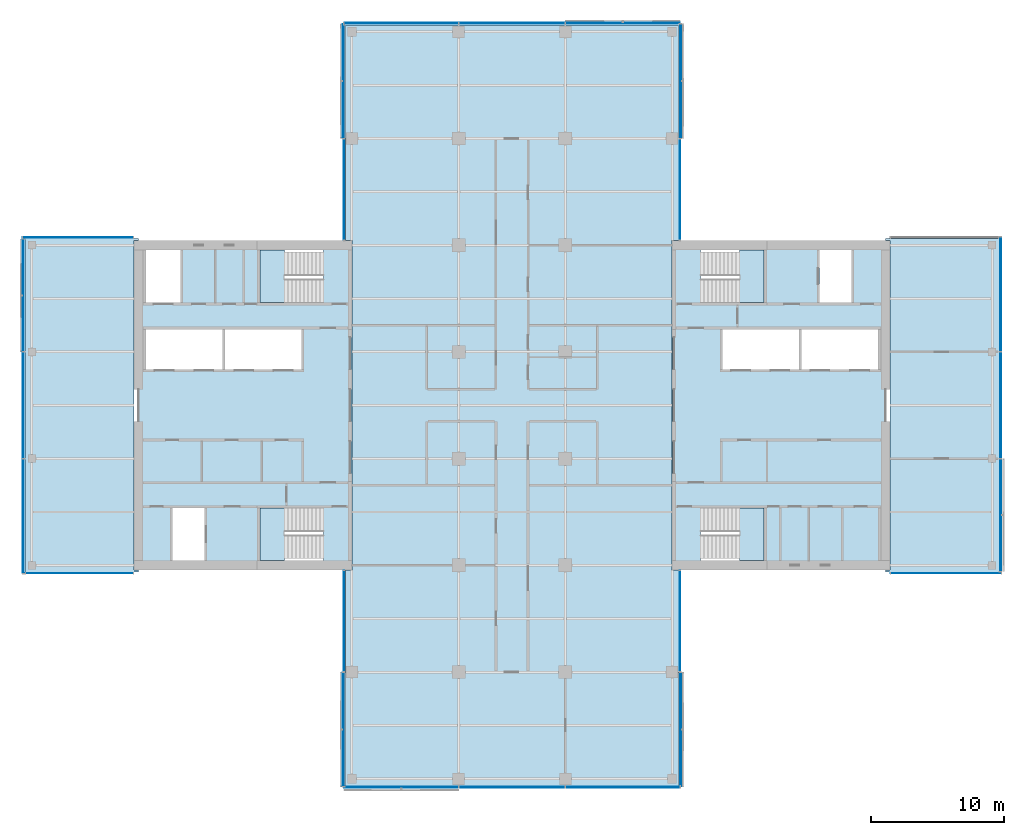
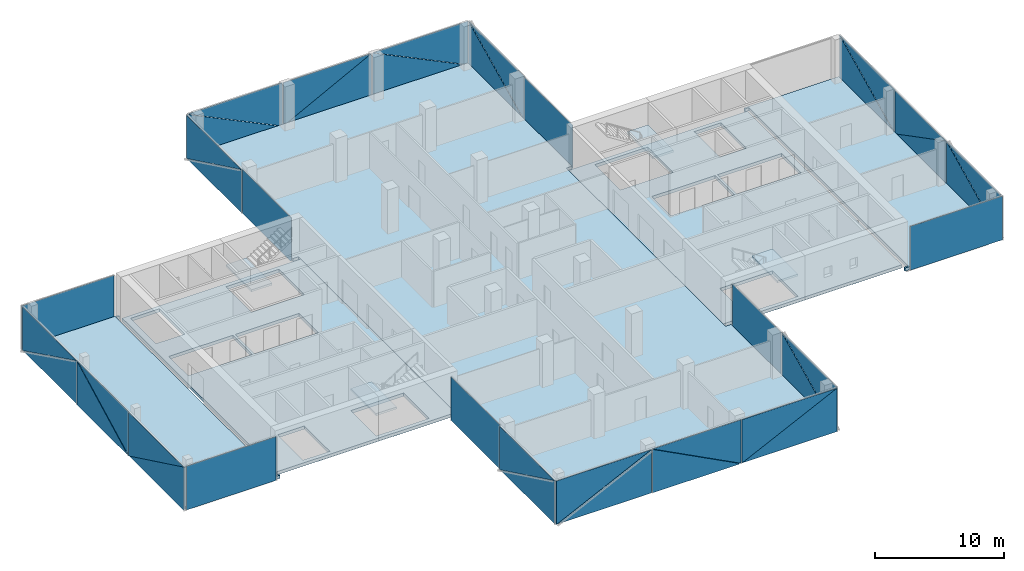
# One storey, part 12 of 22: 39 plates, 9 slabs, 19 elements without a shape of their own.
"""IFC4 building model written with IfcOpenShell, lengths in metres."""

from ifc_helpers import new_model, si_unit, direction, frame, origin, place, context, subcontext, project, spatial, polyline, outline, extrude, material, layer, layer_set, type_object, element, aggregate, save


model = new_model("IFC4")

# Units and contexts
model_context = context("Model", 3, precision=1e-05, world=origin(), true_north=direction((0.0, 1.0)))
body_context = subcontext(model_context, "Body", "Model", "MODEL_VIEW")
ifc_project = project(units=[si_unit("LENGTHUNIT", "METRE"), si_unit("AREAUNIT", "SQUARE_METRE"), si_unit("VOLUMEUNIT", "CUBIC_METRE"), si_unit("PLANEANGLEUNIT", "RADIAN"), si_unit("MASSUNIT", "GRAM", prefix="KILO")], contexts=[model_context])

# Site, building, storey
site_placement = place(None, origin())
site = spatial("IfcSite", under=ifc_project, at=site_placement, CompositionType="ELEMENT")
building_placement = place(site_placement, origin())
building = spatial("IfcBuilding", under=site, at=building_placement, Name="Crosswind Convention Tower", CompositionType="ELEMENT")
storey_placement = place(building_placement, frame((0.0, 0.0, 146.300048828125)))
storey = spatial("IfcBuildingStorey", under=building, at=storey_placement, Name="L30", CompositionType="ELEMENT", Elevation=146.300048828125)

# Slabs
ifc_material_1 = material(Name="Concrete C40/50", Category="concrete")
ifc_layer_1 = layer(ifc_material_1, 0.300048828125)
ifc_layer_set_1 = layer_set([ifc_layer_1], Name="Concrete C40/50")
slab_type_1 = type_object("IfcSlabType", Name="Composite floor slab 300", PredefinedType="FLOOR", material=ifc_layer_set_1)
slab_1_placement = place(storey_placement, frame((0.0, 0.0, -0.300048828125)))
element("IfcSlab", 1, at=slab_1_placement, inside=storey, type_object=slab_type_1, Name="Floor slab L30 part 1", PredefinedType="FLOOR", context=body_context, shape_type="SweptSolid", body=[
    extrude(outline(polyline([(97.0, 87.5), (89.0, 87.5), (88.5, 87.5), (88.5, 88.0), (88.5, 112.0), (88.5, 112.5), (89.0, 112.5), (97.0, 112.5), (97.0, 112.35009765625), (96.64990234375, 112.35009765625), (96.64990234375, 87.64990234375), (97.0, 87.64990234375), (97.0, 87.5)])), origin(), (0.0, 0.0, 1.0), 0.300048828125),
])
slab_2_placement = place(storey_placement, frame((0.0, 0.0, -0.300048828125)))
element("IfcSlab", 2, at=slab_2_placement, inside=storey, type_object=slab_type_1, Name="Floor slab L30 part 2", PredefinedType="FLOOR", context=body_context, shape_type="SweptSolid", body=[
    extrude(outline(polyline([(112.5, 87.64990234375), (113.0, 87.64990234375), (113.0, 112.35009765625), (112.5, 112.35009765625), (112.5, 128.0), (112.5, 128.5), (113.0, 128.5), (137.0, 128.5), (137.5, 128.5), (137.5, 128.0), (137.5, 112.35009765625), (137.0, 112.35009765625), (137.0, 87.64990234375), (137.5, 87.64990234375), (137.5, 72.0), (137.5, 71.5), (137.0, 71.5), (113.0, 71.5), (112.5, 71.5), (112.5, 72.0), (112.5, 87.64990234375)])), origin(), (0.0, 0.0, 1.0), 0.300048828125),
])
slab_3_placement = place(storey_placement, frame((0.0, 0.0, -0.300048828125)))
element("IfcSlab", 3, at=slab_3_placement, inside=storey, type_object=slab_type_1, Name="Floor slab L30 part 3", PredefinedType="FLOOR", context=body_context, shape_type="SweptSolid", body=[
    extrude(outline(polyline([(153.0, 112.5), (161.0, 112.5), (161.5, 112.5), (161.5, 112.0), (161.5, 88.0), (161.5, 87.5), (161.0, 87.5), (153.0, 87.5), (153.0, 87.64990234375), (153.35009765625, 87.64990234375), (153.35009765625, 112.35009765625), (153.0, 112.35009765625), (153.0, 112.5)])), origin(), (0.0, 0.0, 1.0), 0.300048828125),
])
ifc_layer_2 = layer(ifc_material_1, 0.300048828125)
ifc_layer_set_2 = layer_set([ifc_layer_2], Name="Concrete C40/50")
slab_type_2 = type_object("IfcSlabType", Name="Concrete core floor slab 300", PredefinedType="FLOOR", material=ifc_layer_set_2)
slab_4_placement = place(storey_placement, frame((0.0, 0.0, -0.300048828125)))
element("IfcSlab", 4, at=slab_4_placement, inside=storey, type_object=slab_type_2, Name="Core floor slab E L30", PredefinedType="FLOOR", context=body_context, shape_type="SweptSolid", body=[
    extrude(outline(polyline([(137.0, 88.0), (153.0, 88.0), (153.0, 112.0), (137.0, 112.0), (137.0, 88.0)]), holes=[polyline([(146.5, 102.699951171875), (146.5, 105.699951171875), (140.800048828125, 105.699951171875), (140.800048828125, 102.699951171875), (146.5, 102.699951171875)]), polyline([(152.449951171875, 102.699951171875), (152.449951171875, 105.699951171875), (146.699951171875, 105.699951171875), (146.699951171875, 102.699951171875), (152.449951171875, 102.699951171875)]), polyline([(150.449951171875, 107.699951171875), (150.449951171875, 111.64990234375), (148.050048828125, 111.64990234375), (148.050048828125, 107.699951171875), (150.449951171875, 107.699951171875)]), polyline([(143.89990234375, 107.699951171875), (143.89990234375, 111.64990234375), (139.14990234375, 111.64990234375), (139.14990234375, 107.699951171875), (143.89990234375, 107.699951171875)]), polyline([(143.89990234375, 88.35009765625), (143.89990234375, 92.300048828125), (139.14990234375, 92.300048828125), (139.14990234375, 88.35009765625), (143.89990234375, 88.35009765625)])]), origin(), (0.0, 0.0, 1.0), 0.300048828125),
])
slab_5_placement = place(storey_placement, frame((0.0, 0.0, -0.300048828125)))
element("IfcSlab", 5, at=slab_5_placement, inside=storey, type_object=slab_type_2, Name="Core floor slab W L30", PredefinedType="FLOOR", context=body_context, shape_type="SweptSolid", body=[
    extrude(outline(polyline([(97.0, 88.0), (113.0, 88.0), (113.0, 112.0), (97.0, 112.0), (97.0, 88.0)]), holes=[polyline([(109.199951171875, 102.699951171875), (109.199951171875, 105.699951171875), (103.5, 105.699951171875), (103.5, 102.699951171875), (109.199951171875, 102.699951171875)]), polyline([(103.300048828125, 102.699951171875), (103.300048828125, 105.699951171875), (97.550048828125, 105.699951171875), (97.550048828125, 102.699951171875), (103.300048828125, 102.699951171875)]), polyline([(101.949951171875, 88.35009765625), (101.949951171875, 92.300048828125), (99.550048828125, 92.300048828125), (99.550048828125, 88.35009765625), (101.949951171875, 88.35009765625)]), polyline([(100.14990234375, 107.699951171875), (100.14990234375, 111.64990234375), (97.550048828125, 111.64990234375), (97.550048828125, 107.699951171875), (100.14990234375, 107.699951171875)]), polyline([(110.85009765625, 88.35009765625), (110.85009765625, 92.300048828125), (106.10009765625, 92.300048828125), (106.10009765625, 88.35009765625), (110.85009765625, 88.35009765625)]), polyline([(110.85009765625, 107.699951171875), (110.85009765625, 111.64990234375), (106.10009765625, 111.64990234375), (106.10009765625, 107.699951171875), (110.85009765625, 107.699951171875)])]), origin(), (0.0, 0.0, 1.0), 0.300048828125),
])

# Stair, slab
stair_type = type_object("IfcStairType", Name="Exit stair 1800 wide, 2 flights of 11 risers", PredefinedType="HALF_TURN_STAIR", material=ifc_material_1)
stair_1_placement = place(storey_placement, origin())
stair_1 = element("IfcStair", 6, at=stair_1_placement, inside=storey, type_object=stair_type, Name="Exit stair ST1 L30", ObjectType="ST5", PredefinedType="HALF_TURN_STAIR")
ifc_layer_3 = layer(ifc_material_1, 0.199951171875)
ifc_layer_set_3 = layer_set([ifc_layer_3], Name="Concrete C40/50")
slab_type_3 = type_object("IfcSlabType", Name="Stair landing 200", PredefinedType="LANDING", material=ifc_layer_set_3)
slab_6_placement = place(storey_placement, frame((0.0, 0.0, 1.89990234375)))
slab_6 = element("IfcSlab", 7, at=slab_6_placement, type_object=slab_type_3, Name="ST1 landing 1", PredefinedType="LANDING", context=body_context, shape_type="SweptSolid", body=[
    extrude(outline(polyline([(143.89990234375, 107.699951171875), (143.89990234375, 111.64990234375), (142.050048828125, 111.64990234375), (142.050048828125, 107.699951171875), (143.89990234375, 107.699951171875)])), origin(), (0.0, 0.0, 1.0), 0.199951171875),
])
aggregate(stair_1, [slab_6])

stair_2_placement = place(storey_placement, origin())
stair_2 = element("IfcStair", 8, at=stair_2_placement, inside=storey, type_object=stair_type, Name="Exit stair ST2 L30", ObjectType="ST5", PredefinedType="HALF_TURN_STAIR")
slab_7_placement = place(storey_placement, frame((0.0, 0.0, 1.89990234375)))
slab_7 = element("IfcSlab", 9, at=slab_7_placement, type_object=slab_type_3, Name="ST2 landing 1", PredefinedType="LANDING", context=body_context, shape_type="SweptSolid", body=[
    extrude(outline(polyline([(143.89990234375, 88.35009765625), (143.89990234375, 92.300048828125), (142.050048828125, 92.300048828125), (142.050048828125, 88.35009765625), (143.89990234375, 88.35009765625)])), origin(), (0.0, 0.0, 1.0), 0.199951171875),
])
aggregate(stair_2, [slab_7])

stair_3_placement = place(storey_placement, origin())
stair_3 = element("IfcStair", 10, at=stair_3_placement, inside=storey, type_object=stair_type, Name="Exit stair ST3 L30", ObjectType="ST5", PredefinedType="HALF_TURN_STAIR")
slab_8_placement = place(storey_placement, frame((0.0, 0.0, 1.89990234375)))
slab_8 = element("IfcSlab", 11, at=slab_8_placement, type_object=slab_type_3, Name="ST3 landing 1", PredefinedType="LANDING", context=body_context, shape_type="SweptSolid", body=[
    extrude(outline(polyline([(107.949951171875, 88.35009765625), (107.949951171875, 92.300048828125), (106.10009765625, 92.300048828125), (106.10009765625, 88.35009765625), (107.949951171875, 88.35009765625)])), origin(), (0.0, 0.0, 1.0), 0.199951171875),
])
aggregate(stair_3, [slab_8])

stair_4_placement = place(storey_placement, origin())
stair_4 = element("IfcStair", 12, at=stair_4_placement, inside=storey, type_object=stair_type, Name="Exit stair ST4 L30", ObjectType="ST5", PredefinedType="HALF_TURN_STAIR")
slab_9_placement = place(storey_placement, frame((0.0, 0.0, 1.89990234375)))
slab_9 = element("IfcSlab", 13, at=slab_9_placement, type_object=slab_type_3, Name="ST4 landing 1", PredefinedType="LANDING", context=body_context, shape_type="SweptSolid", body=[
    extrude(outline(polyline([(107.949951171875, 107.699951171875), (107.949951171875, 111.64990234375), (106.10009765625, 111.64990234375), (106.10009765625, 107.699951171875), (107.949951171875, 107.699951171875)])), origin(), (0.0, 0.0, 1.0), 0.199951171875),
])
aggregate(stair_4, [slab_9])

# Curtain wall, plate
ifc_material_2 = material(Name="Aluminium unitised curtain wall", Category="aluminium")
curtain_wall_type_1 = type_object("IfcCurtainWallType", Name="CORE END SLOT WALL 160", PredefinedType="USERDEFINED", material=ifc_material_2)
curtain_wall_1_placement = place(storey_placement, origin())
curtain_wall_1 = element("IfcCurtainWall", 14, at=curtain_wall_1_placement, inside=storey, type_object=curtain_wall_type_1, Name="CW6 L30 N-E.1-1 slot", ObjectType="UNITISED", PredefinedType="USERDEFINED")
ifc_material_3 = material(Name="Laminated insulating glass unit", Category="glass")
ifc_layer_4 = layer(ifc_material_3, 0.02587890625)
ifc_layer_set_4 = layer_set([ifc_layer_4], Name="TRIANGULAR GLASS PANEL 26")
plate_type_1 = type_object("IfcPlateType", Name="TRIANGULAR GLASS PANEL 26", PredefinedType="CURTAIN_PANEL", material=ifc_layer_set_4)
plate_1_placement = place(storey_placement, frame((137.60693359375, 112.39990234375, -0.300048828125), z_axis=(0.999999915205, 0.0, 0.00041181312), x_axis=(0.0, 1.0, 0.0)))
plate_1 = element("IfcPlate", 15, at=plate_1_placement, type_object=plate_type_1, Name="CW6 panel 1.1", PredefinedType="CURTAIN_PANEL", context=body_context, shape_type="SweptSolid", body=[
    extrude(outline(polyline([(0.0, 0.0), (7.550048828125, 0.0), (7.550048828125, 4.149902695641108), (0.0, 4.149902695641108), (0.0, 0.0)])), origin(), (0.0, 0.0, -1.0), 0.02587890625),
])
aggregate(curtain_wall_1, [plate_1])

curtain_wall_2_placement = place(storey_placement, origin())
curtain_wall_2 = element("IfcCurtainWall", 16, at=curtain_wall_2_placement, inside=storey, type_object=curtain_wall_type_1, Name="CW6 L30 N-W.1-2 slot", ObjectType="UNITISED", PredefinedType="USERDEFINED")
plate_2_placement = place(storey_placement, frame((112.39306640625, 119.949951171875, -0.300048828125), z_axis=(-0.999999915205, 0.0, 0.00041181312), x_axis=(0.0, -1.0, 0.0)))
plate_2 = element("IfcPlate", 17, at=plate_2_placement, type_object=plate_type_1, Name="CW6 panel 1.1", PredefinedType="CURTAIN_PANEL", context=body_context, shape_type="SweptSolid", body=[
    extrude(outline(polyline([(0.0, 0.0), (7.550048828125, 0.0), (7.550048828125, 4.149902695641108), (0.0, 4.149902695641108), (0.0, 0.0)])), origin(), (0.0, 0.0, -1.0), 0.02587890625),
])
aggregate(curtain_wall_2, [plate_2])

curtain_wall_3_placement = place(storey_placement, origin())
curtain_wall_3 = element("IfcCurtainWall", 18, at=curtain_wall_3_placement, inside=storey, type_object=curtain_wall_type_1, Name="CW6 L30 W-N.2-1 slot", ObjectType="UNITISED", PredefinedType="USERDEFINED")
plate_3_placement = place(storey_placement, frame((96.60009765625, 112.60693359375, -0.300048828125), z_axis=(0.0, 0.999999915205, 0.00041181312), x_axis=(-1.0, 0.0, 0.0)))
plate_3 = element("IfcPlate", 19, at=plate_3_placement, type_object=plate_type_1, Name="CW6 panel 1.1", PredefinedType="CURTAIN_PANEL", context=body_context, shape_type="SweptSolid", body=[
    extrude(outline(polyline([(0.0, 0.0), (8.27001953125, 0.0), (8.27001953125, 4.149902695641109), (0.0, 4.149902695641109), (0.0, 0.0)])), origin(), (0.0, 0.0, -1.0), 0.02587890625),
])
aggregate(curtain_wall_3, [plate_3])

curtain_wall_4_placement = place(storey_placement, origin())
curtain_wall_4 = element("IfcCurtainWall", 20, at=curtain_wall_4_placement, inside=storey, type_object=curtain_wall_type_1, Name="CW6 L30 W-S.1-1 slot", ObjectType="UNITISED", PredefinedType="USERDEFINED")
plate_4_placement = place(storey_placement, frame((88.550048828125, 87.39306640625, -0.300048828125), z_axis=(0.0, -0.999999915205, 0.00041181312), x_axis=(1.0, 0.0, 0.0)))
plate_4 = element("IfcPlate", 21, at=plate_4_placement, type_object=plate_type_1, Name="CW6 panel 1.1", PredefinedType="CURTAIN_PANEL", context=body_context, shape_type="SweptSolid", body=[
    extrude(outline(polyline([(0.0, 0.0), (8.050048828125, 0.0), (8.050048828125, 4.149902695641108), (0.0, 4.149902695641108), (0.0, 0.0)])), origin(), (0.0, 0.0, -1.0), 0.02587890625),
])
aggregate(curtain_wall_4, [plate_4])

curtain_wall_5_placement = place(storey_placement, origin())
curtain_wall_5 = element("IfcCurtainWall", 22, at=curtain_wall_5_placement, inside=storey, type_object=curtain_wall_type_1, Name="CW6 L30 S-W.1-1 slot", ObjectType="UNITISED", PredefinedType="USERDEFINED")
plate_5_placement = place(storey_placement, frame((112.39306640625, 87.60009765625, -0.300048828125), z_axis=(-0.999999915205, 0.0, 0.00041181312), x_axis=(0.0, -1.0, 0.0)))
plate_5 = element("IfcPlate", 23, at=plate_5_placement, type_object=plate_type_1, Name="CW6 panel 1.1", PredefinedType="CURTAIN_PANEL", context=body_context, shape_type="SweptSolid", body=[
    extrude(outline(polyline([(0.0, 0.0), (7.550048828125, 0.0), (7.550048828125, 4.149902695641108), (0.0, 4.149902695641108), (0.0, 0.0)])), origin(), (0.0, 0.0, -1.0), 0.02587890625),
])
aggregate(curtain_wall_5, [plate_5])

curtain_wall_6_placement = place(storey_placement, origin())
curtain_wall_6 = element("IfcCurtainWall", 24, at=curtain_wall_6_placement, inside=storey, type_object=curtain_wall_type_1, Name="CW6 L30 S-E.1-2 slot", ObjectType="UNITISED", PredefinedType="USERDEFINED")
plate_6_placement = place(storey_placement, frame((137.60693359375, 80.050048828125, -0.300048828125), z_axis=(0.999999915205, 0.0, 0.00041181312), x_axis=(0.0, 1.0, 0.0)))
plate_6 = element("IfcPlate", 25, at=plate_6_placement, type_object=plate_type_1, Name="CW6 panel 1.1", PredefinedType="CURTAIN_PANEL", context=body_context, shape_type="SweptSolid", body=[
    extrude(outline(polyline([(0.0, 0.0), (7.550048828125, 0.0), (7.550048828125, 4.149902695641108), (0.0, 4.149902695641108), (0.0, 0.0)])), origin(), (0.0, 0.0, -1.0), 0.02587890625),
])
aggregate(curtain_wall_6, [plate_6])

curtain_wall_7_placement = place(storey_placement, origin())
curtain_wall_7 = element("IfcCurtainWall", 26, at=curtain_wall_7_placement, inside=storey, type_object=curtain_wall_type_1, Name="CW6 L30 E-S.2-1 slot", ObjectType="UNITISED", PredefinedType="USERDEFINED")
plate_7_placement = place(storey_placement, frame((153.39990234375, 87.39306640625, -0.300048828125), z_axis=(0.0, -0.999999915205, 0.00041181312), x_axis=(1.0, 0.0, 0.0)))
plate_7 = element("IfcPlate", 27, at=plate_7_placement, type_object=plate_type_1, Name="CW6 panel 1.1", PredefinedType="CURTAIN_PANEL", context=body_context, shape_type="SweptSolid", body=[
    extrude(outline(polyline([(0.0, 0.0), (8.27001953125, 0.0), (8.27001953125, 4.149902695641109), (0.0, 4.149902695641109), (0.0, 0.0)])), origin(), (0.0, 0.0, -1.0), 0.02587890625),
])
aggregate(curtain_wall_7, [plate_7])

# Curtain wall, plates
curtain_wall_type_2 = type_object("IfcCurtainWallType", Name="OFFICE UNITISED WALL 220", PredefinedType="USERDEFINED", material=ifc_material_2)
curtain_wall_8_placement = place(storey_placement, origin())
curtain_wall_8 = element("IfcCurtainWall", 28, at=curtain_wall_8_placement, inside=storey, type_object=curtain_wall_type_2, Name="CW3 L30 E-TIP 1", ObjectType="UNITISED", PredefinedType="USERDEFINED")
ifc_layer_5 = layer(ifc_material_3, 0.031982421875)
ifc_layer_set_5 = layer_set([ifc_layer_5], Name="TRIANGULAR GLASS PANEL 32")
plate_type_2 = type_object("IfcPlateType", Name="TRIANGULAR GLASS PANEL 32", PredefinedType="CURTAIN_PANEL", material=ifc_layer_set_5)
plate_8_placement = place(storey_placement, frame((161.642822265625, 95.965087890625, -0.300048828125), z_axis=(0.999999913924, 0.0, 0.000414913129), x_axis=(-0.000414913129, 0.0, 0.999999913924)))
plate_8 = element("IfcPlate", 29, at=plate_8_placement, type_object=plate_type_2, Name="CW3 panel 1.1", PredefinedType="CURTAIN_PANEL", context=body_context, shape_type="SweptSolid", body=[
    extrude(outline(polyline([(0.0, 0.0), (4.118896838915043, 0.0), (0.0, 8.372314453125), (0.0, 0.0)])), origin(), (0.0, 0.0, -1.0), 0.031982421875),
])
plate_9_placement = place(storey_placement, frame((161.67529296875, 87.570068359375, 3.829833984375), z_axis=(0.999999936753, 0.0, 0.000355660914), x_axis=(0.000355660914, 0.0, -0.999999936753)))
plate_9 = element("IfcPlate", 30, at=plate_9_placement, type_object=plate_type_2, Name="CW3 panel 1.2", PredefinedType="CURTAIN_PANEL", context=body_context, shape_type="SweptSolid", body=[
    extrude(outline(polyline([(0.0, 0.0), (4.1186526042438425, 0.0), (0.0, 8.372314453125), (0.0, 0.0)])), origin(), (0.0, 0.0, -1.0), 0.031982421875),
])
plate_10_placement = place(storey_placement, frame((161.64111328125, 103.965087890625, 3.829833984375), z_axis=(0.999999913913, 0.0, 0.000414937724), x_axis=(0.0, -1.0, 0.0)))
plate_10 = element("IfcPlate", 31, at=plate_10_placement, type_object=plate_type_2, Name="CW3 panel 2.1", PredefinedType="CURTAIN_PANEL", context=body_context, shape_type="SweptSolid", body=[
    extrude(outline(polyline([(0.0, 0.0), (7.908447265625, 0.0), (0.0, 4.118652698311059), (0.0, 0.0)])), origin(), (0.0, 0.0, -1.0), 0.031982421875),
])
plate_11_placement = place(storey_placement, frame((161.6767578125, 96.034912109375, -0.300048828125), z_axis=(0.999999936753, 0.0, 0.000355660914), x_axis=(0.0, 1.0, 0.0)))
plate_11 = element("IfcPlate", 32, at=plate_11_placement, type_object=plate_type_2, Name="CW3 panel 2.2", PredefinedType="CURTAIN_PANEL", context=body_context, shape_type="SweptSolid", body=[
    extrude(outline(polyline([(0.0, 0.0), (7.908447265625, 0.0), (0.0, 4.118652604243842), (0.0, 0.0)])), origin(), (0.0, 0.0, -1.0), 0.031982421875),
])
plate_12_placement = place(storey_placement, frame((161.642822265625, 112.590087890625, -0.300048828125), z_axis=(0.999999913924, 0.0, 0.000414913129), x_axis=(-0.000414913129, 0.0, 0.999999913924)))
plate_12 = element("IfcPlate", 33, at=plate_12_placement, type_object=plate_type_2, Name="CW3 panel 3.1", PredefinedType="CURTAIN_PANEL", context=body_context, shape_type="SweptSolid", body=[
    extrude(outline(polyline([(0.0, 0.0), (4.118896838915043, 0.0), (0.0, 8.531982421874998), (0.0, 0.0)])), origin(), (0.0, 0.0, -1.0), 0.031982421875),
])
plate_13_placement = place(storey_placement, frame((161.67529296875, 104.034912109375, 3.829833984375), z_axis=(0.99999993676, 0.0, 0.000355639833), x_axis=(0.000355639833, 0.0, -0.99999993676)))
plate_13 = element("IfcPlate", 34, at=plate_13_placement, type_object=plate_type_2, Name="CW3 panel 3.2", PredefinedType="CURTAIN_PANEL", context=body_context, shape_type="SweptSolid", body=[
    extrude(outline(polyline([(0.0, 0.0), (4.1188967448534015, 0.0), (0.0, 8.531982421875), (0.0, 0.0)])), origin(), (0.0, 0.0, -1.0), 0.031982421875),
])
aggregate(curtain_wall_8, [plate_8, plate_9, plate_10, plate_11, plate_12, plate_13])

curtain_wall_9_placement = place(storey_placement, origin())
curtain_wall_9 = element("IfcCurtainWall", 35, at=curtain_wall_9_placement, inside=storey, type_object=curtain_wall_type_2, Name="CW3 L30 N-E 1", ObjectType="UNITISED", PredefinedType="USERDEFINED")
plate_14_placement = place(storey_placement, frame((137.642822265625, 128.574951171875, -0.300048828125), z_axis=(0.999999913924, 0.0, 0.000414913129), x_axis=(-0.000414913129, 0.0, 0.999999913924)))
plate_14 = element("IfcPlate", 36, at=plate_14_placement, type_object=plate_type_2, Name="CW3 panel 1.1", PredefinedType="CURTAIN_PANEL", context=body_context, shape_type="SweptSolid", body=[
    extrude(outline(polyline([(0.0, 0.0), (4.118896838915043, 0.0), (0.0, 8.517089843749998), (0.0, 0.0)])), origin(), (0.0, 0.0, -1.0), 0.031982421875),
])
plate_15_placement = place(storey_placement, frame((137.67529296875, 120.034912109375, 3.829833984375), z_axis=(0.99999993676, 0.0, 0.000355639833), x_axis=(0.000355639833, 0.0, -0.99999993676)))
plate_15 = element("IfcPlate", 37, at=plate_15_placement, type_object=plate_type_2, Name="CW3 panel 1.2", PredefinedType="CURTAIN_PANEL", context=body_context, shape_type="SweptSolid", body=[
    extrude(outline(polyline([(0.0, 0.0), (4.1188967448534015, 0.0), (0.0, 8.51708984375), (0.0, 0.0)])), origin(), (0.0, 0.0, -1.0), 0.031982421875),
])
aggregate(curtain_wall_9, [plate_14, plate_15])

curtain_wall_10_placement = place(storey_placement, origin())
curtain_wall_10 = element("IfcCurtainWall", 38, at=curtain_wall_10_placement, inside=storey, type_object=curtain_wall_type_2, Name="CW3 L30 N-TIP 1", ObjectType="UNITISED", PredefinedType="USERDEFINED")
plate_16_placement = place(storey_placement, frame((129.034912109375, 128.642822265625, -0.300048828125), z_axis=(0.0, 0.999999913924, 0.000414913129), x_axis=(0.0, -0.000414913129, 0.999999913924)))
plate_16 = element("IfcPlate", 39, at=plate_16_placement, type_object=plate_type_2, Name="CW3 panel 1.1", PredefinedType="CURTAIN_PANEL", context=body_context, shape_type="SweptSolid", body=[
    extrude(outline(polyline([(0.0, 0.0), (4.118896838915043, 0.0), (0.0, 8.517089843749998), (0.0, 0.0)])), origin(), (0.0, 0.0, -1.0), 0.031982421875),
])
plate_17_placement = place(storey_placement, frame((137.574951171875, 128.67529296875, 3.829833984375), z_axis=(0.0, 0.99999993676, 0.000355639833), x_axis=(0.0, 0.000355639833, -0.99999993676)))
plate_17 = element("IfcPlate", 40, at=plate_17_placement, type_object=plate_type_2, Name="CW3 panel 1.2", PredefinedType="CURTAIN_PANEL", context=body_context, shape_type="SweptSolid", body=[
    extrude(outline(polyline([(0.0, 0.0), (4.1188967448534015, 0.0), (0.0, 8.51708984375), (0.0, 0.0)])), origin(), (0.0, 0.0, -1.0), 0.031982421875),
])
plate_18_placement = place(storey_placement, frame((121.034912109375, 128.64111328125, 3.829833984375), z_axis=(0.0, 0.999999913913, 0.000414937724), x_axis=(1.0, 0.0, 0.0)))
plate_18 = element("IfcPlate", 41, at=plate_18_placement, type_object=plate_type_2, Name="CW3 panel 2.1", PredefinedType="CURTAIN_PANEL", context=body_context, shape_type="SweptSolid", body=[
    extrude(outline(polyline([(0.0, 0.0), (7.908447265625, 0.0), (0.0, 4.118652698311059), (0.0, 0.0)])), origin(), (0.0, 0.0, -1.0), 0.031982421875),
])
plate_19_placement = place(storey_placement, frame((128.965087890625, 128.6767578125, -0.300048828125), z_axis=(0.0, 0.999999936753, 0.000355660914), x_axis=(-1.0, 0.0, 0.0)))
plate_19 = element("IfcPlate", 42, at=plate_19_placement, type_object=plate_type_2, Name="CW3 panel 2.2", PredefinedType="CURTAIN_PANEL", context=body_context, shape_type="SweptSolid", body=[
    extrude(outline(polyline([(0.0, 0.0), (7.908447265625, 0.0), (0.0, 4.118652604243842), (0.0, 0.0)])), origin(), (0.0, 0.0, -1.0), 0.031982421875),
])
plate_20_placement = place(storey_placement, frame((112.425048828125, 128.642822265625, -0.300048828125), z_axis=(0.0, 0.999999913924, 0.000414913129), x_axis=(0.0, -0.000414913129, 0.999999913924)))
plate_20 = element("IfcPlate", 43, at=plate_20_placement, type_object=plate_type_2, Name="CW3 panel 3.1", PredefinedType="CURTAIN_PANEL", context=body_context, shape_type="SweptSolid", body=[
    extrude(outline(polyline([(0.0, 0.0), (4.118896838915043, 0.0), (0.0, 8.517089843749998), (0.0, 0.0)])), origin(), (0.0, 0.0, -1.0), 0.031982421875),
])
plate_21_placement = place(storey_placement, frame((120.965087890625, 128.67529296875, 3.829833984375), z_axis=(0.0, 0.99999993676, 0.000355639833), x_axis=(0.0, 0.000355639833, -0.99999993676)))
plate_21 = element("IfcPlate", 44, at=plate_21_placement, type_object=plate_type_2, Name="CW3 panel 3.2", PredefinedType="CURTAIN_PANEL", context=body_context, shape_type="SweptSolid", body=[
    extrude(outline(polyline([(0.0, 0.0), (4.1188967448534015, 0.0), (0.0, 8.51708984375), (0.0, 0.0)])), origin(), (0.0, 0.0, -1.0), 0.031982421875),
])
aggregate(curtain_wall_10, [plate_16, plate_17, plate_18, plate_19, plate_20, plate_21])

curtain_wall_11_placement = place(storey_placement, origin())
curtain_wall_11 = element("IfcCurtainWall", 45, at=curtain_wall_11_placement, inside=storey, type_object=curtain_wall_type_2, Name="CW3 L30 N-W 1", ObjectType="UNITISED", PredefinedType="USERDEFINED")
plate_22_placement = place(storey_placement, frame((112.357177734375, 120.034912109375, -0.300048828125), z_axis=(-0.999999913924, 0.0, 0.000414913129), x_axis=(0.000414913129, 0.0, 0.999999913924)))
plate_22 = element("IfcPlate", 46, at=plate_22_placement, type_object=plate_type_2, Name="CW3 panel 1.1", PredefinedType="CURTAIN_PANEL", context=body_context, shape_type="SweptSolid", body=[
    extrude(outline(polyline([(0.0, 0.0), (4.118896838915043, 0.0), (0.0, 8.517089843749998), (0.0, 0.0)])), origin(), (0.0, 0.0, -1.0), 0.031982421875),
])
plate_23_placement = place(storey_placement, frame((112.32470703125, 128.574951171875, 3.829833984375), z_axis=(-0.99999993676, 0.0, 0.000355639833), x_axis=(-0.000355639833, 0.0, -0.99999993676)))
plate_23 = element("IfcPlate", 47, at=plate_23_placement, type_object=plate_type_2, Name="CW3 panel 1.2", PredefinedType="CURTAIN_PANEL", context=body_context, shape_type="SweptSolid", body=[
    extrude(outline(polyline([(0.0, 0.0), (4.1188967448534015, 0.0), (0.0, 8.51708984375), (0.0, 0.0)])), origin(), (0.0, 0.0, -1.0), 0.031982421875),
])
aggregate(curtain_wall_11, [plate_22, plate_23])

curtain_wall_12_placement = place(storey_placement, origin())
curtain_wall_12 = element("IfcCurtainWall", 48, at=curtain_wall_12_placement, inside=storey, type_object=curtain_wall_type_2, Name="CW3 L30 W-TIP 1", ObjectType="UNITISED", PredefinedType="USERDEFINED")
plate_24_placement = place(storey_placement, frame((88.357177734375, 104.034912109375, -0.300048828125), z_axis=(-0.999999913924, 0.0, 0.000414913129), x_axis=(0.000414913129, 0.0, 0.999999913924)))
plate_24 = element("IfcPlate", 49, at=plate_24_placement, type_object=plate_type_2, Name="CW3 panel 1.1", PredefinedType="CURTAIN_PANEL", context=body_context, shape_type="SweptSolid", body=[
    extrude(outline(polyline([(0.0, 0.0), (4.118896838915043, 0.0), (0.0, 8.372314453125), (0.0, 0.0)])), origin(), (0.0, 0.0, -1.0), 0.031982421875),
])
plate_25_placement = place(storey_placement, frame((88.32470703125, 112.429931640625, 3.829833984375), z_axis=(-0.999999936753, 0.0, 0.000355660914), x_axis=(-0.000355660914, 0.0, -0.999999936753)))
plate_25 = element("IfcPlate", 50, at=plate_25_placement, type_object=plate_type_2, Name="CW3 panel 1.2", PredefinedType="CURTAIN_PANEL", context=body_context, shape_type="SweptSolid", body=[
    extrude(outline(polyline([(0.0, 0.0), (4.1186526042438425, 0.0), (0.0, 8.372314453125), (0.0, 0.0)])), origin(), (0.0, 0.0, -1.0), 0.031982421875),
])
plate_26_placement = place(storey_placement, frame((88.35888671875, 96.034912109375, 3.829833984375), z_axis=(-0.999999913913, 0.0, 0.000414937724), x_axis=(0.0, 1.0, 0.0)))
plate_26 = element("IfcPlate", 51, at=plate_26_placement, type_object=plate_type_2, Name="CW3 panel 2.1", PredefinedType="CURTAIN_PANEL", context=body_context, shape_type="SweptSolid", body=[
    extrude(outline(polyline([(0.0, 0.0), (7.908447265625, 0.0), (0.0, 4.118652698311059), (0.0, 0.0)])), origin(), (0.0, 0.0, -1.0), 0.031982421875),
])
plate_27_placement = place(storey_placement, frame((88.3232421875, 103.965087890625, -0.300048828125), z_axis=(-0.999999936753, 0.0, 0.000355660914), x_axis=(0.0, -1.0, 0.0)))
plate_27 = element("IfcPlate", 52, at=plate_27_placement, type_object=plate_type_2, Name="CW3 panel 2.2", PredefinedType="CURTAIN_PANEL", context=body_context, shape_type="SweptSolid", body=[
    extrude(outline(polyline([(0.0, 0.0), (7.908447265625, 0.0), (0.0, 4.118652604243842), (0.0, 0.0)])), origin(), (0.0, 0.0, -1.0), 0.031982421875),
])
plate_28_placement = place(storey_placement, frame((88.357177734375, 87.409912109375, -0.300048828125), z_axis=(-0.999999913924, 0.0, 0.000414913129), x_axis=(0.000414913129, 0.0, 0.999999913924)))
plate_28 = element("IfcPlate", 53, at=plate_28_placement, type_object=plate_type_2, Name="CW3 panel 3.1", PredefinedType="CURTAIN_PANEL", context=body_context, shape_type="SweptSolid", body=[
    extrude(outline(polyline([(0.0, 0.0), (4.118896838915043, 0.0), (0.0, 8.531982421874998), (0.0, 0.0)])), origin(), (0.0, 0.0, -1.0), 0.031982421875),
])
plate_29_placement = place(storey_placement, frame((88.32470703125, 95.965087890625, 3.829833984375), z_axis=(-0.99999993676, 0.0, 0.000355639833), x_axis=(-0.000355639833, 0.0, -0.99999993676)))
plate_29 = element("IfcPlate", 54, at=plate_29_placement, type_object=plate_type_2, Name="CW3 panel 3.2", PredefinedType="CURTAIN_PANEL", context=body_context, shape_type="SweptSolid", body=[
    extrude(outline(polyline([(0.0, 0.0), (4.1188967448534015, 0.0), (0.0, 8.531982421875), (0.0, 0.0)])), origin(), (0.0, 0.0, -1.0), 0.031982421875),
])
aggregate(curtain_wall_12, [plate_24, plate_25, plate_26, plate_27, plate_28, plate_29])

curtain_wall_13_placement = place(storey_placement, origin())
curtain_wall_13 = element("IfcCurtainWall", 55, at=curtain_wall_13_placement, inside=storey, type_object=curtain_wall_type_2, Name="CW3 L30 S-W 1", ObjectType="UNITISED", PredefinedType="USERDEFINED")
plate_30_placement = place(storey_placement, frame((112.357177734375, 71.425048828125, -0.300048828125), z_axis=(-0.999999913924, 0.0, 0.000414913129), x_axis=(0.000414913129, 0.0, 0.999999913924)))
plate_30 = element("IfcPlate", 56, at=plate_30_placement, type_object=plate_type_2, Name="CW3 panel 1.1", PredefinedType="CURTAIN_PANEL", context=body_context, shape_type="SweptSolid", body=[
    extrude(outline(polyline([(0.0, 0.0), (4.118896838915043, 0.0), (0.0, 8.517089843749998), (0.0, 0.0)])), origin(), (0.0, 0.0, -1.0), 0.031982421875),
])
plate_31_placement = place(storey_placement, frame((112.32470703125, 79.965087890625, 3.829833984375), z_axis=(-0.99999993676, 0.0, 0.000355639833), x_axis=(-0.000355639833, 0.0, -0.99999993676)))
plate_31 = element("IfcPlate", 57, at=plate_31_placement, type_object=plate_type_2, Name="CW3 panel 1.2", PredefinedType="CURTAIN_PANEL", context=body_context, shape_type="SweptSolid", body=[
    extrude(outline(polyline([(0.0, 0.0), (4.1188967448534015, 0.0), (0.0, 8.51708984375), (0.0, 0.0)])), origin(), (0.0, 0.0, -1.0), 0.031982421875),
])
aggregate(curtain_wall_13, [plate_30, plate_31])

curtain_wall_14_placement = place(storey_placement, origin())
curtain_wall_14 = element("IfcCurtainWall", 58, at=curtain_wall_14_placement, inside=storey, type_object=curtain_wall_type_2, Name="CW3 L30 S-TIP 1", ObjectType="UNITISED", PredefinedType="USERDEFINED")
plate_32_placement = place(storey_placement, frame((120.965087890625, 71.357177734375, -0.300048828125), z_axis=(0.0, -0.999999913924, 0.000414913129), x_axis=(0.0, 0.000414913129, 0.999999913924)))
plate_32 = element("IfcPlate", 59, at=plate_32_placement, type_object=plate_type_2, Name="CW3 panel 1.1", PredefinedType="CURTAIN_PANEL", context=body_context, shape_type="SweptSolid", body=[
    extrude(outline(polyline([(0.0, 0.0), (4.118896838915043, 0.0), (0.0, 8.517089843749998), (0.0, 0.0)])), origin(), (0.0, 0.0, -1.0), 0.031982421875),
])
plate_33_placement = place(storey_placement, frame((112.425048828125, 71.32470703125, 3.829833984375), z_axis=(0.0, -0.99999993676, 0.000355639833), x_axis=(0.0, -0.000355639833, -0.99999993676)))
plate_33 = element("IfcPlate", 60, at=plate_33_placement, type_object=plate_type_2, Name="CW3 panel 1.2", PredefinedType="CURTAIN_PANEL", context=body_context, shape_type="SweptSolid", body=[
    extrude(outline(polyline([(0.0, 0.0), (4.1188967448534015, 0.0), (0.0, 8.51708984375), (0.0, 0.0)])), origin(), (0.0, 0.0, -1.0), 0.031982421875),
])
plate_34_placement = place(storey_placement, frame((128.965087890625, 71.35888671875, 3.829833984375), z_axis=(0.0, -0.999999913913, 0.000414937724), x_axis=(-1.0, 0.0, 0.0)))
plate_34 = element("IfcPlate", 61, at=plate_34_placement, type_object=plate_type_2, Name="CW3 panel 2.1", PredefinedType="CURTAIN_PANEL", context=body_context, shape_type="SweptSolid", body=[
    extrude(outline(polyline([(0.0, 0.0), (7.908447265625, 0.0), (0.0, 4.118652698311059), (0.0, 0.0)])), origin(), (0.0, 0.0, -1.0), 0.031982421875),
])
plate_35_placement = place(storey_placement, frame((121.034912109375, 71.3232421875, -0.300048828125), z_axis=(0.0, -0.999999936753, 0.000355660914), x_axis=(1.0, 0.0, 0.0)))
plate_35 = element("IfcPlate", 62, at=plate_35_placement, type_object=plate_type_2, Name="CW3 panel 2.2", PredefinedType="CURTAIN_PANEL", context=body_context, shape_type="SweptSolid", body=[
    extrude(outline(polyline([(0.0, 0.0), (7.908447265625, 0.0), (0.0, 4.118652604243842), (0.0, 0.0)])), origin(), (0.0, 0.0, -1.0), 0.031982421875),
])
plate_36_placement = place(storey_placement, frame((137.574951171875, 71.357177734375, -0.300048828125), z_axis=(0.0, -0.999999913924, 0.000414913129), x_axis=(0.0, 0.000414913129, 0.999999913924)))
plate_36 = element("IfcPlate", 63, at=plate_36_placement, type_object=plate_type_2, Name="CW3 panel 3.1", PredefinedType="CURTAIN_PANEL", context=body_context, shape_type="SweptSolid", body=[
    extrude(outline(polyline([(0.0, 0.0), (4.118896838915043, 0.0), (0.0, 8.517089843749998), (0.0, 0.0)])), origin(), (0.0, 0.0, -1.0), 0.031982421875),
])
plate_37_placement = place(storey_placement, frame((129.034912109375, 71.32470703125, 3.829833984375), z_axis=(0.0, -0.99999993676, 0.000355639833), x_axis=(0.0, -0.000355639833, -0.99999993676)))
plate_37 = element("IfcPlate", 64, at=plate_37_placement, type_object=plate_type_2, Name="CW3 panel 3.2", PredefinedType="CURTAIN_PANEL", context=body_context, shape_type="SweptSolid", body=[
    extrude(outline(polyline([(0.0, 0.0), (4.1188967448534015, 0.0), (0.0, 8.51708984375), (0.0, 0.0)])), origin(), (0.0, 0.0, -1.0), 0.031982421875),
])
aggregate(curtain_wall_14, [plate_32, plate_33, plate_34, plate_35, plate_36, plate_37])

curtain_wall_15_placement = place(storey_placement, origin())
curtain_wall_15 = element("IfcCurtainWall", 65, at=curtain_wall_15_placement, inside=storey, type_object=curtain_wall_type_2, Name="CW3 L30 S-E 1", ObjectType="UNITISED", PredefinedType="USERDEFINED")
plate_38_placement = place(storey_placement, frame((137.642822265625, 79.965087890625, -0.300048828125), z_axis=(0.999999913924, 0.0, 0.000414913129), x_axis=(-0.000414913129, 0.0, 0.999999913924)))
plate_38 = element("IfcPlate", 66, at=plate_38_placement, type_object=plate_type_2, Name="CW3 panel 1.1", PredefinedType="CURTAIN_PANEL", context=body_context, shape_type="SweptSolid", body=[
    extrude(outline(polyline([(0.0, 0.0), (4.118896838915043, 0.0), (0.0, 8.517089843749998), (0.0, 0.0)])), origin(), (0.0, 0.0, -1.0), 0.031982421875),
])
plate_39_placement = place(storey_placement, frame((137.67529296875, 71.425048828125, 3.829833984375), z_axis=(0.99999993676, 0.0, 0.000355639833), x_axis=(0.000355639833, 0.0, -0.99999993676)))
plate_39 = element("IfcPlate", 67, at=plate_39_placement, type_object=plate_type_2, Name="CW3 panel 1.2", PredefinedType="CURTAIN_PANEL", context=body_context, shape_type="SweptSolid", body=[
    extrude(outline(polyline([(0.0, 0.0), (4.1188967448534015, 0.0), (0.0, 8.51708984375), (0.0, 0.0)])), origin(), (0.0, 0.0, -1.0), 0.031982421875),
])
aggregate(curtain_wall_15, [plate_38, plate_39])

save(model, "model.ifc")
